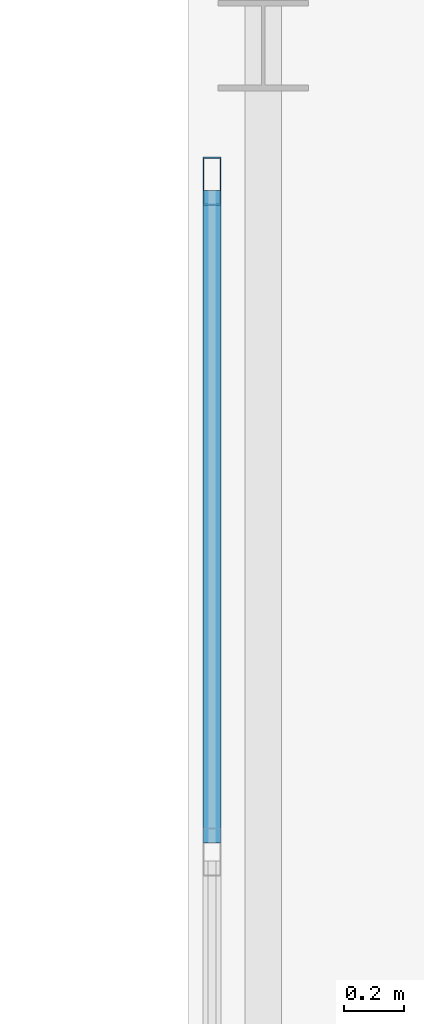
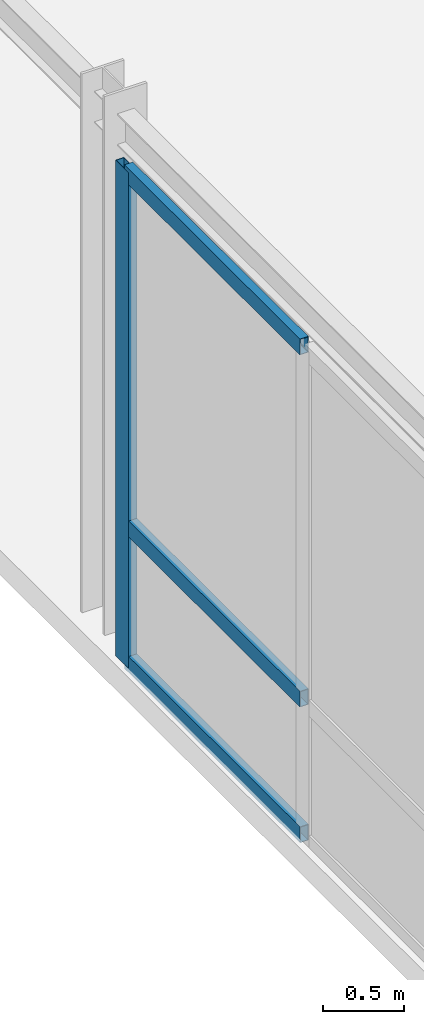
# One storey, part 109 of 165: 4 members, 1 element without a shape of its own.
"""IFC4 building model written with IfcOpenShell, lengths in metres."""

import ifcopenshell
import ifcopenshell.guid

model = None  # the IFC model being written
_history = None  # IfcOwnerHistory: only IFC2X3 demands one
_inside = {}  # id of a spatial element -> (the spatial element, [elements in it])
_under = {}  # id of a project, library or spatial element -> (it, [spatial elements below it])
_declared = {}  # id of a project -> (the project, [libraries it declares])
_typed = {}  # id of a type object -> (the type object, [elements of that type])
_made_of = {}  # id of a material, layer set ... -> (it, [elements and type objects made of it])


def new_model(schema):
    """Start an empty IFC model of exactly this schema.

    Asked for "IFC4X3", IfcOpenShell would pick the latest addendum, in which some entities
    have other attributes; the version numbers below select the first issue.
    IFC2X3 requires an IfcOwnerHistory on every rooted entity: one is made here for all.
    """
    global model, _history
    if schema == "IFC4X3":
        model = ifcopenshell.file(schema_version=(4, 3, 0, 0))
    else:
        model = ifcopenshell.file(schema=schema)
    _inside.clear()
    _under.clear()
    _declared.clear()
    _typed.clear()
    _made_of.clear()
    _history = None
    if model.schema == "IFC2X3":
        org = make("IfcOrganization", Name="unknown")
        user = make(
            "IfcPersonAndOrganization",
            ThePerson=make("IfcPerson", FamilyName="unknown"),
            TheOrganization=org,
        )
        app = make(
            "IfcApplication",
            ApplicationDeveloper=org,
            Version="unknown",
            ApplicationFullName="unknown",
            ApplicationIdentifier="unknown",
        )
        _history = make(
            "IfcOwnerHistory",
            OwningUser=user,
            OwningApplication=app,
            ChangeAction="ADDED",
            CreationDate=0,
        )
    return model


def make(cls, **values):
    """One entity of the class cls with the attributes given. An attribute that is None is left unset."""
    return model.create_entity(
        cls, **{name: value for name, value in values.items() if value is not None}
    )


def rooted(cls, **values):
    """An entity with a GlobalId (a new one), such as an element, a storey or a relation."""
    return make(cls, GlobalId=ifcopenshell.guid.new(), OwnerHistory=_history, **values)


def si_unit(unit_type, name, prefix=None):
    """IfcSIUnit, for example si_unit("LENGTHUNIT", "METRE", prefix="MILLI")."""
    return make("IfcSIUnit", UnitType=unit_type, Prefix=prefix, Name=name)


def assignment(units):
    """IfcUnitAssignment: the units of a project."""
    return None if units is None else make("IfcUnitAssignment", Units=units)


def point(xyz):
    """IfcCartesianPoint."""
    return None if xyz is None else make("IfcCartesianPoint", Coordinates=xyz)


def direction(xyz):
    """IfcDirection."""
    return None if xyz is None else make("IfcDirection", DirectionRatios=xyz)


def frame(location, z_axis=None, x_axis=None):
    """IfcAxis2Placement3D, a coordinate frame: its origin and axes. An axis left out is left unset."""
    return make(
        "IfcAxis2Placement3D",
        Location=point(location),
        Axis=direction(z_axis),
        RefDirection=direction(x_axis),
    )


def frame_2d(location, x_axis=None):
    """IfcAxis2Placement2D, a coordinate frame in the plane: its origin and x axis."""
    return make(
        "IfcAxis2Placement2D", Location=point(location), RefDirection=direction(x_axis)
    )


def origin():
    """The frame at (0, 0, 0) with its axes left unset."""
    return frame((0.0, 0.0, 0.0))


def origin_2d():
    """The frame at (0, 0) in the plane with its x axis left unset."""
    return frame_2d((0.0, 0.0))


def place(relative_to, where):
    """IfcLocalPlacement: puts the frame where relative to a parent placement (None: the world)."""
    return make(
        "IfcLocalPlacement", PlacementRelTo=relative_to, RelativePlacement=where
    )


def context(
    kind, dimensions, precision=None, world=None, true_north=None, identifier=None
):
    """IfcGeometricRepresentationContext, for example the 3D "Model" context."""
    return make(
        "IfcGeometricRepresentationContext",
        ContextIdentifier=identifier,
        ContextType=kind,
        CoordinateSpaceDimension=dimensions,
        Precision=precision,
        WorldCoordinateSystem=world,
        TrueNorth=true_north,
    )


def subcontext(parent, identifier, kind, view, scale=None):
    """IfcGeometricRepresentationSubContext, for example "Body" below "Model"."""
    return make(
        "IfcGeometricRepresentationSubContext",
        ContextIdentifier=identifier,
        ContextType=kind,
        ParentContext=parent,
        TargetScale=scale,
        TargetView=view,
    )


def project(units=None, contexts=None):
    """IfcProject with its units and contexts."""
    return rooted(
        "IfcProject",
        Name="project",
        RepresentationContexts=contexts,
        UnitsInContext=assignment(units),
    )


def spatial(cls, under=None, at=None, **own):
    """A site, building, storey or space (cls), placed at a placement, below another one or the project."""
    s = rooted(cls, ObjectPlacement=at, **own)
    if under is not None:
        _under.setdefault(under.id(), (under, []))[1].append(s)
    return s


def profile(cls, at=None, kind="AREA", **sizes):
    """A parametric profile (cls). Its sizes go by their IFC names, for example OverallWidth=200.0."""
    return make(cls, ProfileType=kind, Position=at, **sizes)


def hollow_rectangle(**sizes):
    """IfcRectangleHollowProfileDef."""
    return profile("IfcRectangleHollowProfileDef", **sizes)


def extrude(swept, where, along, depth):
    """IfcExtrudedAreaSolid: the profile swept, set in the frame where, extruded along a direction by depth."""
    return make(
        "IfcExtrudedAreaSolid",
        SweptArea=swept,
        Position=where,
        ExtrudedDirection=direction(along),
        Depth=depth,
    )


def shape(context_of_items, identifier, shape_type, items):
    """IfcShapeRepresentation: the items that make up one representation, for example the "Body"."""
    return make(
        "IfcShapeRepresentation",
        ContextOfItems=context_of_items,
        RepresentationIdentifier=identifier,
        RepresentationType=shape_type,
        Items=items,
    )


def material(Name=None, Category=None):
    """IfcMaterial."""
    return make("IfcMaterial", Name=Name, Category=Category)


def layer(
    of_material, thickness, ventilated=None, Name=None, Category=None, Priority=None
):
    """IfcMaterialLayer: one layer of a wall or slab, of a material (None: an air gap)."""
    return make(
        "IfcMaterialLayer",
        Material=of_material,
        LayerThickness=thickness,
        IsVentilated=ventilated,
        Name=Name,
        Category=Category,
        Priority=Priority,
    )


def layer_set(layers, Name=None):
    """IfcMaterialLayerSet."""
    return make("IfcMaterialLayerSet", MaterialLayers=layers, LayerSetName=Name)


def material_profile(
    of_material, cross_section, Name=None, Category=None, Priority=None
):
    """IfcMaterialProfile: a cross section and its material."""
    return make(
        "IfcMaterialProfile",
        Name=Name,
        Material=of_material,
        Profile=cross_section,
        Priority=Priority,
        Category=Category,
    )


def profile_set(profiles, Name=None, composite=None):
    """IfcMaterialProfileSet."""
    return make(
        "IfcMaterialProfileSet",
        Name=Name,
        MaterialProfiles=profiles,
        CompositeProfile=composite,
    )


def made_of(thing, what):
    """Note that an element or type object is made of a material, layer set ...; save() writes the relation."""
    if what is not None:
        _made_of.setdefault(what.id(), (what, []))[1].append(thing)
    return thing


def type_object(cls, material=None, **own):
    """A type object (cls), such as IfcWallType, which elements share."""
    return made_of(rooted(cls, **own), material)


def element(
    cls,
    number,
    at=None,
    inside=None,
    cuts=None,
    type_object=None,
    material=None,
    context=None,
    identifier="Body",
    shape_type=None,
    held_by="IfcProductDefinitionShape",
    body=None,
    shapes=None,
    **own,
):
    """One element of the class cls, such as IfcWall. Its Tag is "e" and its number.

    at: its placement. inside: the storey or other place that contains it. cuts: it is an
    opening in that element (IfcRelVoidsElement). A single representation is given by context,
    identifier, shape_type and body (its items); several are given by shapes. held_by: the class
    of the entity that holds the representations. save() writes the other relations.
    """
    e = rooted(cls, Tag="e%d" % number, ObjectPlacement=at, **own)
    if body is not None:
        shapes = [shape(context, identifier, shape_type, body)]
    if shapes is not None:
        e.Representation = make(held_by, Representations=shapes)
    if inside is not None:
        _inside.setdefault(inside.id(), (inside, []))[1].append(e)
    if cuts is not None:
        rooted(
            "IfcRelVoidsElement", RelatingBuildingElement=cuts, RelatedOpeningElement=e
        )
    if type_object is not None:
        _typed.setdefault(type_object.id(), (type_object, []))[1].append(e)
    return made_of(e, material)


def aggregate(whole, parts):
    """IfcRelAggregates: a whole, such as a stair, and the parts it consists of."""
    return rooted("IfcRelAggregates", RelatingObject=whole, RelatedObjects=parts)


def save(model, path):
    """Write the relations noted so far, then the file.

    IfcRelAggregates (storeys below a building ...), IfcRelContainedInSpatialStructure (elements
    in a storey), IfcRelDefinesByType, IfcRelAssociatesMaterial and IfcRelDeclares: one each for
    every whole, place, type object, material and project.
    """
    for whole, parts in _under.values():
        aggregate(whole, parts)
    for where, things in _inside.values():
        rooted(
            "IfcRelContainedInSpatialStructure",
            RelatedElements=things,
            RelatingStructure=where,
        )
    for kind, things in _typed.values():
        rooted("IfcRelDefinesByType", RelatedObjects=things, RelatingType=kind)
    for what, things in _made_of.values():
        rooted("IfcRelAssociatesMaterial", RelatedObjects=things, RelatingMaterial=what)
    for by, libraries in _declared.values():
        rooted("IfcRelDeclares", RelatingContext=by, RelatedDefinitions=libraries)
    model.write(path)


model = new_model("IFC4")

# Units and contexts
model_context = context("Model", 3, precision=1e-05, world=origin(), true_north=direction((0.0, 1.0)))
body_context = subcontext(model_context, "Body", "Model", "MODEL_VIEW")
ifc_project = project(units=[si_unit("LENGTHUNIT", "METRE"), si_unit("AREAUNIT", "SQUARE_METRE"), si_unit("VOLUMEUNIT", "CUBIC_METRE"), si_unit("PLANEANGLEUNIT", "RADIAN"), si_unit("MASSUNIT", "GRAM", prefix="KILO")], contexts=[model_context])

# Site, building, storey
site_placement = place(None, origin())
site = spatial("IfcSite", under=ifc_project, at=site_placement, CompositionType="ELEMENT")
building_placement = place(site_placement, origin())
building = spatial("IfcBuilding", under=site, at=building_placement, Name="Montecoro Central Library", CompositionType="ELEMENT")
storey_placement = place(building_placement, frame((0.0, 0.0, 5.10009765625)))
storey = spatial("IfcBuildingStorey", under=building, at=storey_placement, Name="L01", CompositionType="ELEMENT", Elevation=5.10009765625)

# Curtain wall, members
ifc_material_1 = material(Name="Bronze-anodised aluminium and low-E glazing", Category="aluminium")
ifc_layer = layer(ifc_material_1, 0.159912109375)
ifc_layer_set = layer_set([ifc_layer], Name="Bronze-anodised aluminium and low-E glazing")
curtain_wall_type = type_object("IfcCurtainWallType", Name="CWT-084", PredefinedType="NOTDEFINED", material=ifc_layer_set)
curtain_wall_placement = place(storey_placement, origin())
curtain_wall = element("IfcCurtainWall", 1, at=curtain_wall_placement, inside=storey, type_object=curtain_wall_type, Name="BR-E-L01-CW-W2", PredefinedType="NOTDEFINED")
ifc_material_2 = material(Name="Bronze-anodised aluminium", Category="aluminium")
ifc_material_profile_1 = material_profile(ifc_material_2, hollow_rectangle(XDim=0.06005859375, YDim=0.159912109375, WallThickness=0.00390625, at=origin_2d()), Name="CWM 160x60x4.0")
ifc_profile_set_1 = profile_set([ifc_material_profile_1], Name="Bronze-anodised aluminium")
member_type_1 = type_object("IfcMemberType", Name="CWM-BRZ-60", PredefinedType="MULLION", material=ifc_profile_set_1)
member_1_placement = place(storey_placement, frame((154.080078125, 65.35009765625, 0.0), z_axis=(0.0, 0.0, 1.0), x_axis=(-1.0, 0.0, 0.0)))
member_1 = element("IfcMember", 2, at=member_1_placement, type_object=member_type_1, Name="CW-084 mullion 4", PredefinedType="MULLION", context=body_context, shape_type="SweptSolid", body=[
    extrude(hollow_rectangle(XDim=0.06005859375, YDim=0.159912109375, WallThickness=0.00390625, at=origin_2d()), origin(), (0.0, 0.0, 1.0), 3.72998046875),
])
ifc_material_profile_2 = material_profile(ifc_material_2, hollow_rectangle(XDim=0.06005859375, YDim=0.1201171875, WallThickness=0.00390625, at=origin_2d()), Name="CWT 120x60x4.0")
ifc_profile_set_2 = profile_set([ifc_material_profile_2], Name="Bronze-anodised aluminium")
member_type_2 = type_object("IfcMemberType", Name="CWT-BRZ-60", PredefinedType="USERDEFINED", material=ifc_profile_set_2)
member_2_placement = place(storey_placement, frame((154.080078125, 63.15673828125, 0.02978515625), z_axis=(0.0, 1.0, 0.0), x_axis=(-1.0, 0.0, 0.0)))
member_2 = element("IfcMember", 3, at=member_2_placement, type_object=member_type_2, Name="CW-084 transom 3.1", ObjectType="TRANSOM", PredefinedType="USERDEFINED", context=body_context, shape_type="SweptSolid", body=[
    extrude(hollow_rectangle(XDim=0.06005859375, YDim=0.1201171875, WallThickness=0.00390625, at=origin_2d()), origin(), (0.0, 0.0, 1.0), 2.163330078125),
])
member_3_placement = place(storey_placement, frame((154.080078125, 63.15673828125, 1.0498046875), z_axis=(0.0, 1.0, 0.0), x_axis=(-1.0, 0.0, 0.0)))
member_3 = element("IfcMember", 4, at=member_3_placement, type_object=member_type_2, Name="CW-084 transom 3.2", ObjectType="TRANSOM", PredefinedType="USERDEFINED", context=body_context, shape_type="SweptSolid", body=[
    extrude(hollow_rectangle(XDim=0.06005859375, YDim=0.1201171875, WallThickness=0.00390625, at=origin_2d()), origin(), (0.0, 0.0, 1.0), 2.163330078125),
])
member_4_placement = place(storey_placement, frame((154.080078125, 63.15673828125, 3.699951171875), z_axis=(0.0, 1.0, 0.0), x_axis=(-1.0, 0.0, 0.0)))
member_4 = element("IfcMember", 5, at=member_4_placement, type_object=member_type_2, Name="CW-084 transom 3.3", ObjectType="TRANSOM", PredefinedType="USERDEFINED", context=body_context, shape_type="SweptSolid", body=[
    extrude(hollow_rectangle(XDim=0.06005859375, YDim=0.1201171875, WallThickness=0.00390625, at=origin_2d()), origin(), (0.0, 0.0, 1.0), 2.163330078125),
])
aggregate(curtain_wall, [member_1, member_2, member_3, member_4])

save(model, "model.ifc")
